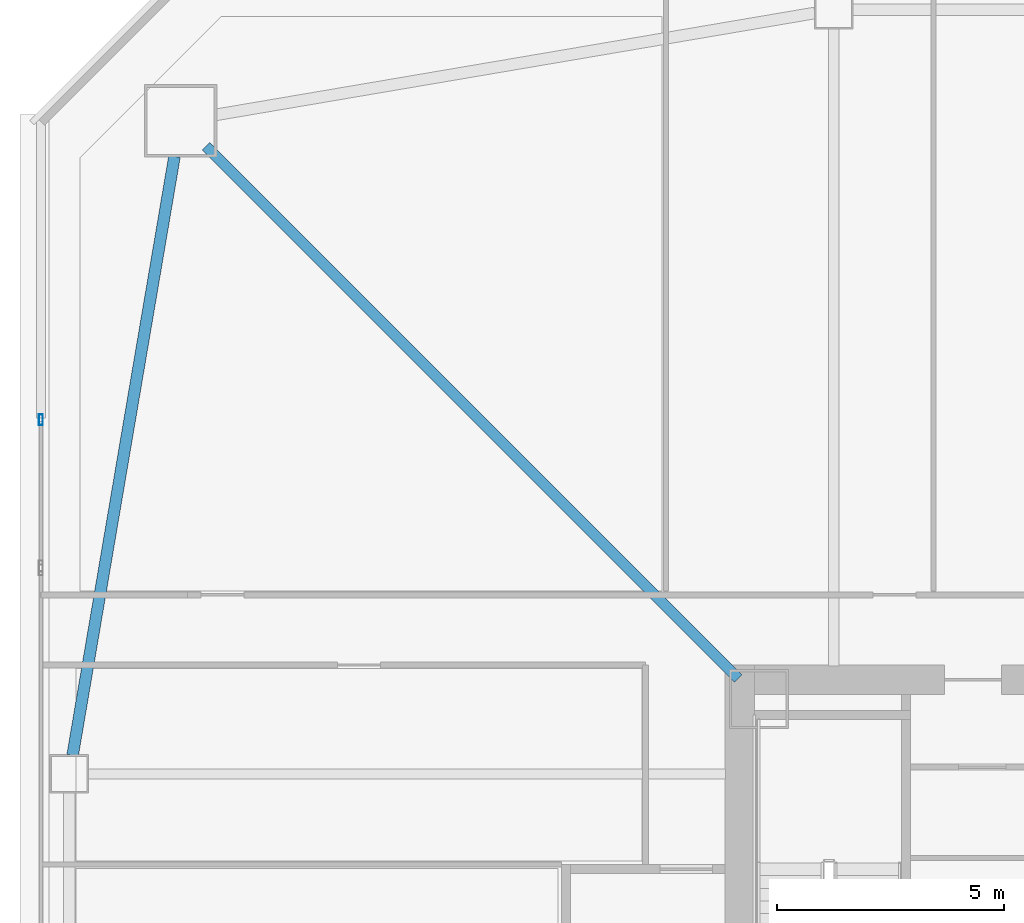
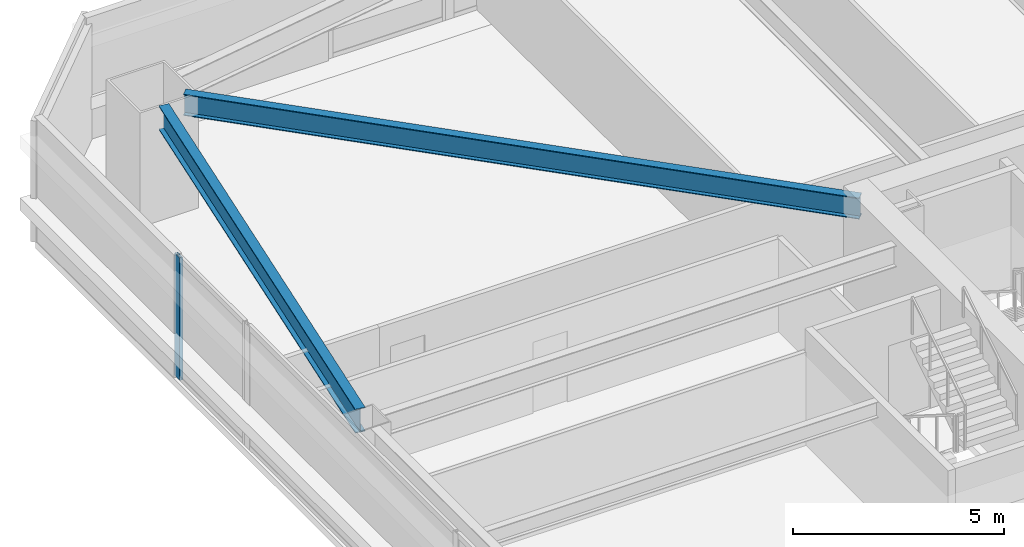
# One storey, part 13 of 48: 2 beams, 1 member, 1 element without a shape of its own.
"""IFC4 building model written with IfcOpenShell, lengths in metres."""

from ifc_helpers import new_model, si_unit, direction, frame, origin, origin_2d, place, context, subcontext, project, spatial, hollow_rectangle, i_section, extrude, material, material_profile, profile_set, type_object, element, aggregate, save


model = new_model("IFC4")

# Units and contexts
model_context = context("Model", 3, precision=1e-05, world=origin(), true_north=direction((0.0, 1.0)))
body_context = subcontext(model_context, "Body", "Model", "MODEL_VIEW")
ifc_project = project(units=[si_unit("LENGTHUNIT", "METRE"), si_unit("AREAUNIT", "SQUARE_METRE"), si_unit("VOLUMEUNIT", "CUBIC_METRE"), si_unit("PLANEANGLEUNIT", "RADIAN"), si_unit("MASSUNIT", "GRAM", prefix="KILO")], contexts=[model_context])

# Site, building, storey
site_placement = place(None, origin())
site = spatial("IfcSite", under=ifc_project, at=site_placement, CompositionType="ELEMENT")
building_placement = place(site_placement, origin())
building = spatial("IfcBuilding", under=site, at=building_placement, Name="Tashvorn Skyway Center", CompositionType="ELEMENT")
storey_placement = place(building_placement, frame((0.0, 0.0, 56.550048828125)))
storey = spatial("IfcBuildingStorey", under=building, at=storey_placement, Name="L14", CompositionType="ELEMENT", Elevation=56.550048828125)

# Beams
ifc_material_1 = material(Name="Steel ASTM A992 Grade 50", Category="steel")
ifc_material_profile_1 = material_profile(ifc_material_1, i_section(OverallWidth=0.22998046875, OverallDepth=0.616943359375, WebThickness=0.01318359375, FlangeThickness=0.022216796875, at=origin_2d()), Name="W24X94")
ifc_profile_set_1 = profile_set([ifc_material_profile_1], Name="Steel ASTM A992 Grade 50")
beam_type_1 = type_object("IfcBeamType", Name="BM-BEAM-W24X94", PredefinedType="BEAM", material=ifc_profile_set_1)
beam_1_placement = place(storey_placement, frame((22.76220703125, 51.23779296875, 3.04150390625), z_axis=(0.707106781187, -0.707106781187, 0.0), x_axis=(0.707106781187, 0.707106781187, 0.0)))
element("IfcBeam", 1, at=beam_1_placement, inside=storey, type_object=beam_type_1, Name="Tower 1 L14 Primary Floor Girder MC-NW", PredefinedType="BEAM", context=body_context, shape_type="SweptSolid", body=[
    extrude(i_section(OverallWidth=0.22998046875, OverallDepth=0.616943359375, WebThickness=0.01318359375, FlangeThickness=0.022216796875, at=origin_2d()), origin(), (0.0, 0.0, 1.0), 16.591064453125),
])
ifc_material_profile_2 = material_profile(ifc_material_1, i_section(OverallWidth=0.256103515625, OverallDepth=0.693115234375, WebThickness=0.014404296875, FlangeThickness=0.023681640625, at=origin_2d()), Name="W27X114")
ifc_profile_set_2 = profile_set([ifc_material_profile_2], Name="Steel ASTM A992 Grade 50")
beam_type_2 = type_object("IfcBeamType", Name="BM-SPANDREL-W27X114", PredefinedType="SPANDREL", material=ifc_profile_set_2)
beam_2_placement = place(storey_placement, frame((22.066650390625, 51.016357421875, 3.00341796875), z_axis=(-0.16771792509, -0.985835025551, 0.0), x_axis=(0.985835025551, -0.16771792509, 0.0)))
element("IfcBeam", 2, at=beam_2_placement, inside=storey, type_object=beam_type_2, Name="Tower 1 L14 Spandrel Beam 10", PredefinedType="SPANDREL", context=body_context, shape_type="SweptSolid", body=[
    extrude(i_section(OverallWidth=0.256103515625, OverallDepth=0.693115234375, WebThickness=0.014404296875, FlangeThickness=0.023681640625, at=origin_2d()), origin(), (0.0, 0.0, 1.0), 13.39208984375),
])

# Curtain wall, member
ifc_material_2 = material(Name="Thermally broken bronze-anodized aluminium 6063-T6", Category="aluminium")
curtain_wall_type = type_object("IfcCurtainWallType", Name="CW-CW-Z1", PredefinedType="NOTDEFINED", material=ifc_material_2)
curtain_wall_placement = place(storey_placement, origin())
curtain_wall = element("IfcCurtainWall", 3, at=curtain_wall_placement, inside=storey, type_object=curtain_wall_type, Name="Tower 1 L14 West Unitised Curtain Wall Glazing Group 3", PredefinedType="NOTDEFINED")
ifc_material_profile_3 = material_profile(ifc_material_2, hollow_rectangle(XDim=0.0849609375, YDim=0.239990234375, WallThickness=0.0048828125, at=origin_2d()), Name="ALU-MULL-85x240")
ifc_profile_set_3 = profile_set([ifc_material_profile_3], Name="Thermally broken bronze-anodized aluminium 6063-T6")
member_type = type_object("IfcMemberType", Name="CWM-CW-Z1", PredefinedType="MULLION", material=ifc_profile_set_3)
member_placement = place(storey_placement, frame((19.1201171875, 45.210693359375, 0.0), z_axis=(0.0, 0.0, 1.0), x_axis=(-1.0, 0.0, 0.0)))
member = element("IfcMember", 4, at=member_placement, type_object=member_type, Name="CW-Z1 mullion 2", PredefinedType="MULLION", context=body_context, shape_type="SweptSolid", body=[
    extrude(hollow_rectangle(XDim=0.0849609375, YDim=0.239990234375, WallThickness=0.0048828125, at=origin_2d()), origin(), (0.0, 0.0, 1.0), 3.550048828125),
])
aggregate(curtain_wall, [member])

save(model, "model.ifc")
